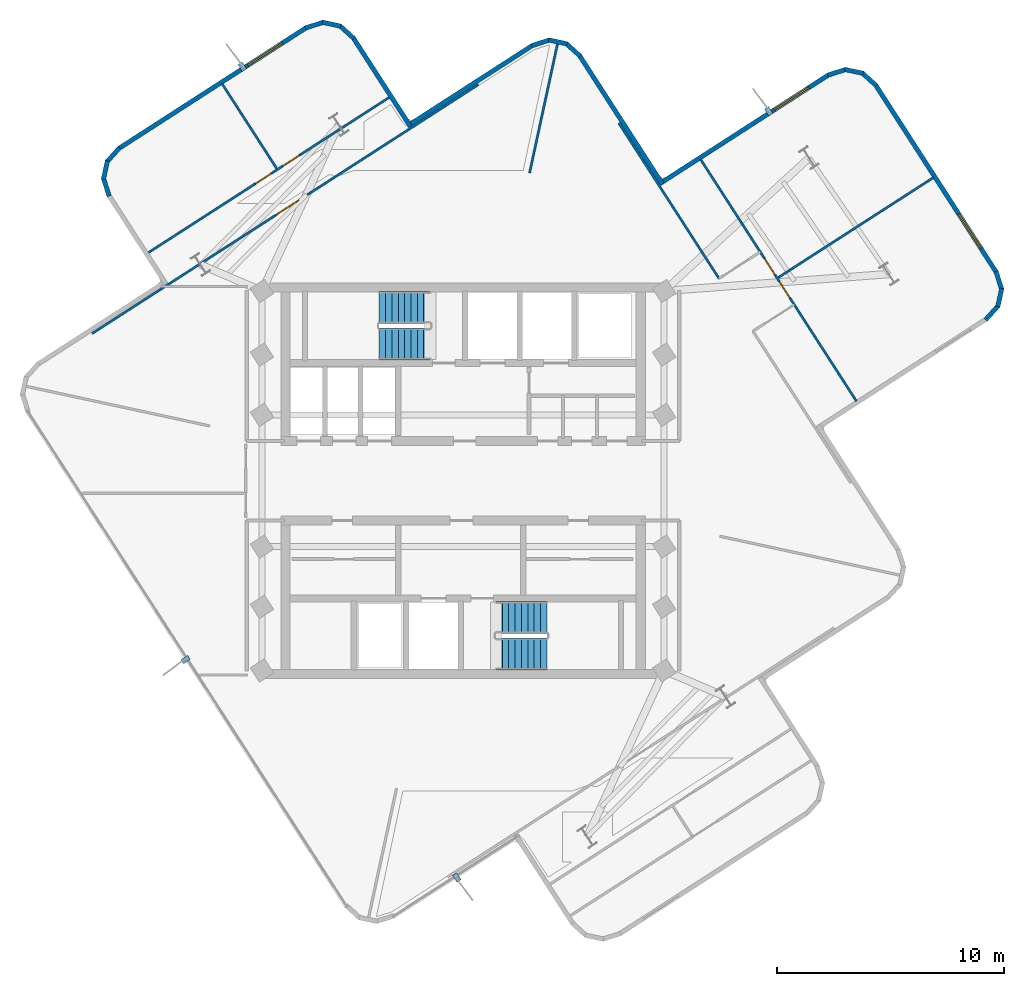
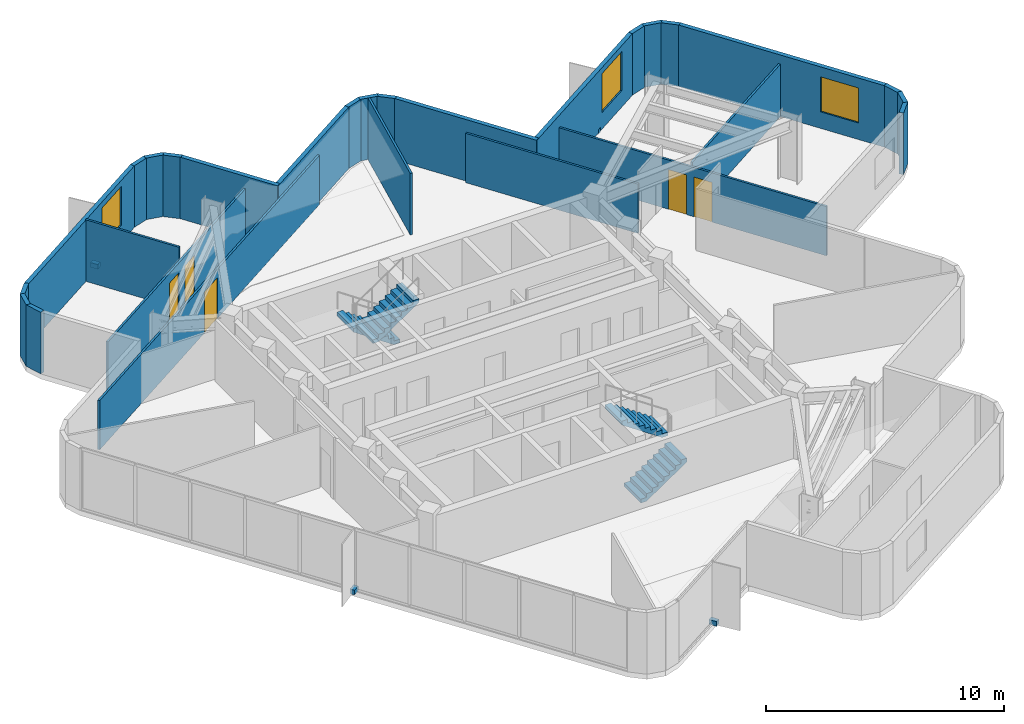
# One storey, part 7 of 9: 28 walls, 5 doors, 4 discrete accessories, 4 stair flights, 3 windows, 8 openings, 2 elements without a shape of their own.
"""IFC4 building model written with IfcOpenShell, lengths in metres."""

from ifc_helpers import new_model, si_unit, direction, frame, frame_2d, origin, origin_2d, place, context, subcontext, project, spatial, polyline, rectangle, outline, extrude, material, layer, layer_set, type_object, element, fill, aggregate, save


model = new_model("IFC4")

# Units and contexts
model_context = context("Model", 3, precision=1e-05, world=origin(), true_north=direction((0.0, 1.0)))
body_context = subcontext(model_context, "Body", "Model", "MODEL_VIEW")
ifc_project = project(units=[si_unit("LENGTHUNIT", "METRE"), si_unit("AREAUNIT", "SQUARE_METRE"), si_unit("VOLUMEUNIT", "CUBIC_METRE"), si_unit("PLANEANGLEUNIT", "RADIAN"), si_unit("MASSUNIT", "GRAM", prefix="KILO")], contexts=[model_context])

# Site, building, storey
site_placement = place(None, origin())
site = spatial("IfcSite", under=ifc_project, at=site_placement, CompositionType="ELEMENT")
building_placement = place(site_placement, origin())
building = spatial("IfcBuilding", under=site, at=building_placement, Name="Solmarez Civic Tower", CompositionType="ELEMENT")
storey_placement = place(building_placement, frame((0.0, 0.0, 215.4599609375)))
storey = spatial("IfcBuildingStorey", under=building, at=storey_placement, Name="L57", CompositionType="ELEMENT", Elevation=215.4599609375)

# Walls
ifc_material_1 = material(Name="Precast concrete C40/50", Category="concrete")
ifc_layer_1 = layer(ifc_material_1, 0.199951171875)
ifc_layer_set_1 = layer_set([ifc_layer_1], Name="Precast concrete C40/50")
wall_type_1 = type_object("IfcWallType", Name="WALL-EXT-200", PredefinedType="SOLIDWALL", material=ifc_layer_set_1)
wall_1_placement = place(storey_placement, frame((-15.572998046875, 12.52294921875, 0.0), z_axis=(0.0, 0.0, 1.0), x_axis=(-0.306602907463, 0.951837516142, 0.0)))
element("IfcWall", 1, at=wall_1_placement, inside=storey, type_object=wall_type_1, Name="L57 Exterior Precast Wall 14", PredefinedType="SOLIDWALL", context=body_context, shape_type="SweptSolid", body=[
    extrude(rectangle(XDim=0.83837890625, YDim=0.199951171875, at=frame_2d((0.419189453125, 0.0))), origin(), (0.0, 0.0, 1.0), 3.16015625),
])
wall_2_placement = place(storey_placement, frame((-15.826904296875, 13.27294921875, 0.0), z_axis=(0.0, 0.0, 1.0), x_axis=(0.210782404691, 0.977533006027, 0.0)))
element("IfcWall", 2, at=wall_2_placement, inside=storey, type_object=wall_type_1, Name="L57 Exterior Precast Wall 15", PredefinedType="SOLIDWALL", context=body_context, shape_type="SweptSolid", body=[
    extrude(rectangle(XDim=0.82470703125, YDim=0.199951171875, at=frame_2d((0.412353515625, 0.0))), origin(), (0.0, 0.0, 1.0), 3.16015625),
])
wall_3_placement = place(storey_placement, frame((-15.675048828125, 14.035888671875, 0.0), z_axis=(0.0, 0.0, 1.0), x_axis=(0.671019988703, 0.741439258983, 0.0)))
element("IfcWall", 3, at=wall_3_placement, inside=storey, type_object=wall_type_1, Name="L57 Exterior Precast Wall 16", PredefinedType="SOLIDWALL", context=body_context, shape_type="SweptSolid", body=[
    extrude(rectangle(XDim=0.839111328125, YDim=0.199951171875, at=frame_2d((0.41943359375, 0.0))), origin(), (0.0, 0.0, 1.0), 3.16015625),
])

# Wall, opening, window
wall_4_placement = place(storey_placement, frame((-15.14990234375, 14.625, 0.0), z_axis=(0.0, 0.0, 1.0), x_axis=(0.84055619882, 0.541724354839, 0.0)))
wall_4 = element("IfcWall", 4, at=wall_4_placement, inside=storey, type_object=wall_type_1, Name="L57 Exterior Precast Wall 17", PredefinedType="SOLIDWALL", context=body_context, shape_type="SweptSolid", body=[
    extrude(rectangle(XDim=9.82421875, YDim=0.199951171875, at=frame_2d((4.912109375, 0.0))), origin(), (0.0, 0.0, 1.0), 3.16015625),
])
opening_1_placement = place(wall_4_placement, frame((6.762939453125, 0.0, 0.85009765625)))
opening_1 = element("IfcOpeningElement", 5, at=opening_1_placement, cuts=wall_4, Name="Opening W-04", PredefinedType="OPENING", context=body_context, shape_type="SweptSolid", body=[
    extrude(rectangle(XDim=1.800048828125, YDim=2.0, at=frame_2d((0.89990234375, 1.0))), frame((0.0, 0.10986328125, 0.0), z_axis=(0.0, -1.0, 0.0), x_axis=(1.0, 0.0, 0.0)), (0.0, 0.0, 1.0), 0.219970703125),
])
ifc_material_2 = material(Name="Solar Control Bronze-Tinted Insulating Glass", Category="glass")
window_type_1 = type_object("IfcWindowType", Name="WIN-1800X2000", PartitioningType="SINGLE_PANEL", PredefinedType="WINDOW", material=ifc_material_2)
window_1_placement = place(opening_1_placement, origin())
window_1 = element("IfcWindow", 6, at=window_1_placement, inside=storey, type_object=window_type_1, Name="L57 Exterior Facade Window 17", OverallHeight=2.0, OverallWidth=1.800048828125, PartitioningType="SINGLE_PANEL", PredefinedType="WINDOW", context=body_context, shape_type="SweptSolid", body=[
    extrude(rectangle(XDim=1.800048828125, YDim=2.0, at=frame_2d((0.89990234375, 1.0))), frame((0.0, 0.030029296875, 0.0), z_axis=(0.0, -1.0, 0.0), x_axis=(1.0, 0.0, 0.0)), (0.0, 0.0, 1.0), 0.06005859375),
])
fill(opening_1, window_1)

# Walls
wall_5_placement = place(storey_placement, frame((-6.93701171875, 19.925048828125, 0.0), z_axis=(0.0, 0.0, 1.0), x_axis=(0.951922461344, 0.306339072907, 0.0)))
element("IfcWall", 7, at=wall_5_placement, inside=storey, type_object=wall_type_1, Name="L57 Exterior Precast Wall 18", PredefinedType="SOLIDWALL", context=body_context, shape_type="SweptSolid", body=[
    extrude(rectangle(XDim=0.83837890625, YDim=0.199951171875, at=frame_2d((0.419189453125, 0.0))), origin(), (0.0, 0.0, 1.0), 3.16015625),
])
wall_6_placement = place(storey_placement, frame((-6.18701171875, 20.178955078125, 0.0), z_axis=(0.0, 0.0, 1.0), x_axis=(0.977405889656, -0.211371064399, 0.0)))
element("IfcWall", 8, at=wall_6_placement, inside=storey, type_object=wall_type_1, Name="L57 Exterior Precast Wall 19", PredefinedType="SOLIDWALL", context=body_context, shape_type="SweptSolid", body=[
    extrude(rectangle(XDim=0.823486328125, YDim=0.199951171875, at=frame_2d((0.41162109375, 0.0))), origin(), (0.0, 0.0, 1.0), 3.16015625),
])
wall_7_placement = place(storey_placement, frame((-5.425048828125, 20.027099609375, 0.0), z_axis=(0.0, 0.0, 1.0), x_axis=(0.741439258983, -0.671019988703, 0.0)))
element("IfcWall", 9, at=wall_7_placement, inside=storey, type_object=wall_type_1, Name="L57 Exterior Precast Wall 20", PredefinedType="SOLIDWALL", context=body_context, shape_type="SweptSolid", body=[
    extrude(rectangle(XDim=0.839111328125, YDim=0.199951171875, at=frame_2d((0.41943359375, 0.0))), origin(), (0.0, 0.0, 1.0), 3.16015625),
])
wall_8_placement = place(storey_placement, frame((-4.8359375, 19.501953125, 0.0), z_axis=(0.0, 0.0, 1.0), x_axis=(0.541756659411, -0.840535378187, 0.0)))
element("IfcWall", 10, at=wall_8_placement, inside=storey, type_object=wall_type_1, Name="L57 Exterior Precast Wall 21", PredefinedType="SOLIDWALL", context=body_context, shape_type="SweptSolid", body=[
    extrude(rectangle(XDim=4.64208984375, YDim=0.199951171875, at=frame_2d((2.321044921875, 0.0))), origin(), (0.0, 0.0, 1.0), 3.16015625),
])
wall_9_placement = place(storey_placement, frame((-2.430908203125, 15.6240234375, 0.0), z_axis=(0.0, 0.0, 1.0), x_axis=(0.840561972283, 0.541715396451, 0.0)))
element("IfcWall", 11, at=wall_9_placement, inside=storey, type_object=wall_type_1, Name="L57 Exterior Precast Wall 24", PredefinedType="SOLIDWALL", context=body_context, shape_type="SweptSolid", body=[
    extrude(rectangle(XDim=6.5419921875, YDim=0.199951171875, at=frame_2d((3.27099609375, 0.0))), origin(), (0.0, 0.0, 1.0), 3.16015625),
])
wall_10_placement = place(storey_placement, frame((3.02294921875, 19.14599609375, 0.0), z_axis=(0.0, 0.0, 1.0), x_axis=(0.951837516142, 0.306602907463, 0.0)))
element("IfcWall", 12, at=wall_10_placement, inside=storey, type_object=wall_type_1, Name="L57 Exterior Precast Wall 25", PredefinedType="SOLIDWALL", context=body_context, shape_type="SweptSolid", body=[
    extrude(rectangle(XDim=0.83837890625, YDim=0.199951171875, at=frame_2d((0.419189453125, 0.0))), origin(), (0.0, 0.0, 1.0), 3.16015625),
])
wall_11_placement = place(storey_placement, frame((3.77294921875, 19.39990234375, 0.0), z_axis=(0.0, 0.0, 1.0), x_axis=(0.977467098281, -0.211087829535, 0.0)))
element("IfcWall", 13, at=wall_11_placement, inside=storey, type_object=wall_type_1, Name="L57 Exterior Precast Wall 26", PredefinedType="SOLIDWALL", context=body_context, shape_type="SweptSolid", body=[
    extrude(rectangle(XDim=0.823486328125, YDim=0.199951171875, at=frame_2d((0.41162109375, 0.0))), origin(), (0.0, 0.0, 1.0), 3.16015625),
])
wall_12_placement = place(storey_placement, frame((4.534912109375, 19.248046875, 0.0), z_axis=(0.0, 0.0, 1.0), x_axis=(0.741439258983, -0.671019988703, 0.0)))
element("IfcWall", 14, at=wall_12_placement, inside=storey, type_object=wall_type_1, Name="L57 Exterior Precast Wall 27", PredefinedType="SOLIDWALL", context=body_context, shape_type="SweptSolid", body=[
    extrude(rectangle(XDim=0.839111328125, YDim=0.199951171875, at=frame_2d((0.41943359375, 0.0))), origin(), (0.0, 0.0, 1.0), 3.16015625),
])
wall_13_placement = place(storey_placement, frame((5.1240234375, 18.722900390625, 0.0), z_axis=(0.0, 0.0, 1.0), x_axis=(0.541679726821, -0.840584959151, 0.0)))
element("IfcWall", 15, at=wall_13_placement, inside=storey, type_object=wall_type_1, Name="L57 Exterior Precast Wall 28", PredefinedType="SOLIDWALL", context=body_context, shape_type="SweptSolid", body=[
    extrude(rectangle(XDim=6.74169921875, YDim=0.199951171875, at=frame_2d((3.370849609375, 0.0))), origin(), (0.0, 0.0, 1.0), 3.16015625),
])

# Wall, opening, window
wall_14_placement = place(storey_placement, frame((8.666015625, 13.080078125, 0.0), z_axis=(0.0, 0.0, 1.0), x_axis=(0.840540020681, 0.541749456515, 0.0)))
wall_14 = element("IfcWall", 16, at=wall_14_placement, inside=storey, type_object=wall_type_1, Name="L57 Exterior Precast Wall 31", PredefinedType="SOLIDWALL", context=body_context, shape_type="SweptSolid", body=[
    extrude(rectangle(XDim=8.841796875, YDim=0.199951171875, at=frame_2d((4.4208984375, 0.0))), origin(), (0.0, 0.0, 1.0), 3.16015625),
])
opening_2_placement = place(wall_14_placement, frame((5.9970703125, 0.0, 0.85009765625)))
opening_2 = element("IfcOpeningElement", 17, at=opening_2_placement, cuts=wall_14, Name="Opening W-04", PredefinedType="OPENING", context=body_context, shape_type="SweptSolid", body=[
    extrude(rectangle(XDim=1.800048828125, YDim=2.0, at=frame_2d((0.89990234375, 1.0))), frame((0.0, 0.10986328125, 0.0), z_axis=(0.0, -1.0, 0.0), x_axis=(1.0, 0.0, 0.0)), (0.0, 0.0, 1.0), 0.219970703125),
])
window_2_placement = place(opening_2_placement, origin())
window_2 = element("IfcWindow", 18, at=window_2_placement, inside=storey, type_object=window_type_1, Name="L57 Exterior Facade Window 31", OverallHeight=2.0, OverallWidth=1.800048828125, PartitioningType="SINGLE_PANEL", PredefinedType="WINDOW", context=body_context, shape_type="SweptSolid", body=[
    extrude(rectangle(XDim=1.800048828125, YDim=2.0, at=frame_2d((0.89990234375, 1.0))), frame((0.0, 0.030029296875, 0.0), z_axis=(0.0, -1.0, 0.0), x_axis=(1.0, 0.0, 0.0)), (0.0, 0.0, 1.0), 0.06005859375),
])
fill(opening_2, window_2)

# Walls
wall_15_placement = place(storey_placement, frame((16.052978515625, 17.847900390625, 0.0), z_axis=(0.0, 0.0, 1.0), x_axis=(0.951946820804, 0.306263367646, 0.0)))
element("IfcWall", 19, at=wall_15_placement, inside=storey, type_object=wall_type_1, Name="L57 Exterior Precast Wall 32", PredefinedType="SOLIDWALL", context=body_context, shape_type="SweptSolid", body=[
    extrude(rectangle(XDim=0.83935546875, YDim=0.199951171875, at=frame_2d((0.419677734375, 0.0))), origin(), (0.0, 0.0, 1.0), 3.16015625),
])
wall_16_placement = place(storey_placement, frame((16.803955078125, 18.10205078125, 0.0), z_axis=(0.0, 0.0, 1.0), x_axis=(0.977405889656, -0.211371064399, 0.0)))
element("IfcWall", 20, at=wall_16_placement, inside=storey, type_object=wall_type_1, Name="L57 Exterior Precast Wall 33", PredefinedType="SOLIDWALL", context=body_context, shape_type="SweptSolid", body=[
    extrude(rectangle(XDim=0.823486328125, YDim=0.199951171875, at=frame_2d((0.41162109375, 0.0))), origin(), (0.0, 0.0, 1.0), 3.16015625),
])
wall_17_placement = place(storey_placement, frame((17.56591796875, 17.949951171875, 0.0), z_axis=(0.0, 0.0, 1.0), x_axis=(0.741439258983, -0.671019988703, 0.0)))
element("IfcWall", 21, at=wall_17_placement, inside=storey, type_object=wall_type_1, Name="L57 Exterior Precast Wall 34", PredefinedType="SOLIDWALL", context=body_context, shape_type="SweptSolid", body=[
    extrude(rectangle(XDim=0.839111328125, YDim=0.199951171875, at=frame_2d((0.41943359375, 0.0))), origin(), (0.0, 0.0, 1.0), 3.16015625),
])

# Wall, opening, window
wall_18_placement = place(storey_placement, frame((18.155029296875, 17.425048828125, 0.0), z_axis=(0.0, 0.0, 1.0), x_axis=(0.541713039183, -0.840563491462, 0.0)))
wall_18 = element("IfcWall", 22, at=wall_18_placement, inside=storey, type_object=wall_type_1, Name="L57 Exterior Precast Wall 35", PredefinedType="SOLIDWALL", context=body_context, shape_type="SweptSolid", body=[
    extrude(rectangle(XDim=9.824462890625, YDim=0.199951171875, at=frame_2d((4.912109375, 0.0))), origin(), (0.0, 0.0, 1.0), 3.16015625),
])
opening_3_placement = place(wall_18_placement, frame((6.762939453125, 0.0, 0.85009765625)))
opening_3 = element("IfcOpeningElement", 23, at=opening_3_placement, cuts=wall_18, Name="Opening W-08", PredefinedType="OPENING", context=body_context, shape_type="SweptSolid", body=[
    extrude(rectangle(XDim=1.800048828125, YDim=1.800048828125, at=frame_2d((0.89990234375, 0.89990234375))), frame((0.0, 0.10986328125, 0.0), z_axis=(0.0, -1.0, 0.0), x_axis=(1.0, 0.0, 0.0)), (0.0, 0.0, 1.0), 0.219970703125),
])
window_type_2 = type_object("IfcWindowType", Name="WIN-1800X1800", PartitioningType="SINGLE_PANEL", PredefinedType="WINDOW", material=ifc_material_2)
window_3_placement = place(opening_3_placement, origin())
window_3 = element("IfcWindow", 24, at=window_3_placement, inside=storey, type_object=window_type_2, Name="L57 Exterior Facade Window 35", OverallHeight=1.800048828125, OverallWidth=1.800048828125, PartitioningType="SINGLE_PANEL", PredefinedType="WINDOW", context=body_context, shape_type="SweptSolid", body=[
    extrude(rectangle(XDim=1.800048828125, YDim=1.800048828125, at=frame_2d((0.89990234375, 0.89990234375))), frame((0.0, 0.030029296875, 0.0), z_axis=(0.0, -1.0, 0.0), x_axis=(1.0, 0.0, 0.0)), (0.0, 0.0, 1.0), 0.06005859375),
])
fill(opening_3, window_3)

# Walls
wall_19_placement = place(storey_placement, frame((23.455078125, 9.2119140625, 0.0), z_axis=(0.0, 0.0, 1.0), x_axis=(0.306424011446, -0.951895123009, 0.0)))
element("IfcWall", 25, at=wall_19_placement, inside=storey, type_object=wall_type_1, Name="L57 Exterior Precast Wall 36", PredefinedType="SOLIDWALL", context=body_context, shape_type="SweptSolid", body=[
    extrude(rectangle(XDim=0.838134765625, YDim=0.199951171875, at=frame_2d((0.4189453125, 0.0))), origin(), (0.0, 0.0, 1.0), 3.16015625),
])
wall_20_placement = place(storey_placement, frame((23.708984375, 8.4619140625, 0.0), z_axis=(0.0, 0.0, 1.0), x_axis=(-0.210237806088, -0.977650277395, 0.0)))
element("IfcWall", 26, at=wall_20_placement, inside=storey, type_object=wall_type_1, Name="L57 Exterior Precast Wall 37", PredefinedType="SOLIDWALL", context=body_context, shape_type="SweptSolid", body=[
    extrude(rectangle(XDim=0.8232421875, YDim=0.199951171875, at=frame_2d((0.41162109375, 0.0))), origin(), (0.0, 0.0, 1.0), 3.16015625),
])
wall_21_placement = place(storey_placement, frame((23.55810546875, 7.699951171875, 0.0), z_axis=(0.0, 0.0, 1.0), x_axis=(-0.671818647766, -0.740715670493, 0.0)))
element("IfcWall", 27, at=wall_21_placement, inside=storey, type_object=wall_type_1, Name="L57 Exterior Precast Wall 38", PredefinedType="SOLIDWALL", context=body_context, shape_type="SweptSolid", body=[
    extrude(rectangle(XDim=0.83984375, YDim=0.199951171875, at=frame_2d((0.419921875, 0.0))), origin(), (0.0, 0.0, 1.0), 3.16015625),
])
ifc_material_3 = material(Name="Gypsum Board Acoustic Steel-Stud Partition", Category="steel")
ifc_layer_2 = layer(ifc_material_3, 0.10009765625)
ifc_layer_set_2 = layer_set([ifc_layer_2], Name="Gypsum Board Acoustic Steel-Stud Partition")
wall_type_2 = type_object("IfcWallType", Name="WALL-INT-PART-100", PredefinedType="PARTITIONING", material=ifc_layer_set_2)
wall_22_placement = place(storey_placement, frame((2.927001953125, 13.5400390625, 0.0), z_axis=(0.0, 0.0, 1.0), x_axis=(0.21141803497, 0.977395730751, 0.0)))
element("IfcWall", 28, at=wall_22_placement, inside=storey, type_object=wall_type_2, Name="L57 Interior Partition PT-L57-QDIV-1", PredefinedType="PARTITIONING", context=body_context, shape_type="SweptSolid", body=[
    extrude(rectangle(XDim=5.842041015625, YDim=0.10009765625, at=frame_2d((2.9208984375, 0.0))), origin(), (0.0, 0.0, 1.0), 3.16015625),
])
wall_23_placement = place(storey_placement, frame((11.27001953125, 8.89306640625, 0.0), z_axis=(0.0, 0.0, 1.0), x_axis=(-0.541761070726, 0.840532534912, 0.0)))
element("IfcWall", 29, at=wall_23_placement, inside=storey, type_object=wall_type_2, Name="L57 Interior Partition PT-L57-E-EFL", PredefinedType="PARTITIONING", context=body_context, shape_type="SweptSolid", body=[
    extrude(rectangle(XDim=8.1494140625, YDim=0.10009765625, at=frame_2d((4.07470703125, 0.0))), origin(), (0.0, 0.0, 1.0), 2.530029296875),
])
wall_24_placement = place(storey_placement, frame((13.8779296875, 8.944091796875, 0.0), z_axis=(0.0, 0.0, 1.0), x_axis=(0.840576508336, 0.541692840671, 0.0)))
element("IfcWall", 30, at=wall_24_placement, inside=storey, type_object=wall_type_2, Name="L57 Interior Partition PT-L57-E-TM", PredefinedType="PARTITIONING", context=body_context, shape_type="SweptSolid", body=[
    extrude(rectangle(XDim=8.124267578125, YDim=0.10009765625, at=frame_2d((4.06201171875, 0.0))), origin(), (0.0, 0.0, 1.0), 2.68896484375),
])

# Wall, openings, doors
wall_25_placement = place(storey_placement, frame((10.448974609375, 14.152099609375, 0.0), z_axis=(0.0, 0.0, 1.0), x_axis=(0.541734007753, -0.8405499776, 0.0)))
wall_25 = element("IfcWall", 31, at=wall_25_placement, inside=storey, type_object=wall_type_2, Name="L57 Interior Partition PT-L57-E-END", PredefinedType="PARTITIONING", context=body_context, shape_type="SweptSolid", body=[
    extrude(rectangle(XDim=12.67041015625, YDim=0.10009765625, at=frame_2d((6.335205078125, 0.0))), origin(), (0.0, 0.0, 1.0), 2.530029296875),
])
opening_4_placement = place(wall_25_placement, frame((6.405029296875, 0.0, 0.0)))
opening_4 = element("IfcOpeningElement", 32, at=opening_4_placement, cuts=wall_25, Name="Opening D-14", PredefinedType="OPENING", context=body_context, shape_type="SweptSolid", body=[
    extrude(rectangle(XDim=0.860107421875, YDim=2.0400390625, at=frame_2d((0.43017578125, 1.02001953125))), frame((0.0, 0.06005859375, 0.0), z_axis=(0.0, -1.0, 0.0), x_axis=(1.0, 0.0, 0.0)), (0.0, 0.0, 1.0), 0.1201171875),
])
opening_5_placement = place(wall_25_placement, frame((5.205078125, 0.0, 0.0)))
opening_5 = element("IfcOpeningElement", 33, at=opening_5_placement, cuts=wall_25, Name="Opening D-14", PredefinedType="OPENING", context=body_context, shape_type="SweptSolid", body=[
    extrude(rectangle(XDim=0.860107421875, YDim=2.0400390625, at=frame_2d((0.43017578125, 1.02001953125))), frame((0.0, 0.06005859375, 0.0), z_axis=(0.0, -1.0, 0.0), x_axis=(1.0, 0.0, 0.0)), (0.0, 0.0, 1.0), 0.1201171875),
])
ifc_material_4 = material(Name="Timber Storage and Pantry Door", Category="wood")
door_type_1 = type_object("IfcDoorType", Name="DOOR-INT-850", OperationType="NOTDEFINED", PredefinedType="DOOR", material=ifc_material_4)
door_1_placement = place(opening_4_placement, origin())
door_1 = element("IfcDoor", 34, at=door_1_placement, inside=storey, type_object=door_type_1, Name="L57 Public Reception Room Sixth East Door", OperationType="SINGLE_SWING_RIGHT", OverallHeight=2.0400390625, OverallWidth=0.860107421875, PredefinedType="DOOR", context=body_context, shape_type="SweptSolid", body=[
    extrude(rectangle(XDim=0.860107421875, YDim=2.0400390625, at=frame_2d((0.43017578125, 1.02001953125))), frame((0.0, 0.02490234375, 0.0), z_axis=(0.0, -1.0, 0.0), x_axis=(1.0, 0.0, 0.0)), (0.0, 0.0, 1.0), 0.050048828125),
])
fill(opening_4, door_1)
door_2_placement = place(opening_5_placement, origin())
door_2 = element("IfcDoor", 35, at=door_2_placement, inside=storey, type_object=door_type_1, Name="L57 Delegates Sitting Lounge Fifth East Door", OperationType="SINGLE_SWING_LEFT", OverallHeight=2.0400390625, OverallWidth=0.860107421875, PredefinedType="DOOR", context=body_context, shape_type="SweptSolid", body=[
    extrude(rectangle(XDim=0.860107421875, YDim=2.0400390625, at=frame_2d((0.43017578125, 1.02001953125))), frame((0.0, 0.02490234375, 0.0), z_axis=(0.0, -1.0, 0.0), x_axis=(1.0, 0.0, 0.0)), (0.0, 0.0, 1.0), 0.050048828125),
])
fill(opening_5, door_2)

# Wall, opening, door
wall_26_placement = place(storey_placement, frame((-16.3310546875, 6.47607421875, 0.0), z_axis=(0.0, 0.0, 1.0), x_axis=(0.840579457381, 0.541688264437, 0.0)))
wall_26 = element("IfcWall", 36, at=wall_26_placement, inside=storey, type_object=wall_type_2, Name="L57 Interior Partition PT-L57-N-ENT", PredefinedType="PARTITIONING", context=body_context, shape_type="SweptSolid", body=[
    extrude(rectangle(XDim=20.23828125, YDim=0.10009765625, at=frame_2d((10.119140625, 0.0))), origin(), (0.0, 0.0, 1.0), 2.530029296875),
])
opening_6_placement = place(wall_26_placement, frame((9.618896484375, 0.0, 0.0)))
opening_6 = element("IfcOpeningElement", 37, at=opening_6_placement, cuts=wall_26, Name="Opening D-11", PredefinedType="OPENING", context=body_context, shape_type="SweptSolid", body=[
    extrude(rectangle(XDim=1.199951171875, YDim=2.10009765625, at=frame_2d((0.60009765625, 1.050048828125))), frame((0.0, 0.06005859375, 0.0), z_axis=(0.0, -1.0, 0.0), x_axis=(1.0, 0.0, 0.0)), (0.0, 0.0, 1.0), 0.1201171875),
])
ifc_material_5 = material(Name="Glazed-Vision Acoustic Chamber Door", Category="wood")
door_type_2 = type_object("IfcDoorType", Name="DOOR-INT-1200", OperationType="NOTDEFINED", PredefinedType="DOOR", material=ifc_material_5)
door_3_placement = place(opening_6_placement, origin())
door_3 = element("IfcDoor", 38, at=door_3_placement, inside=storey, type_object=door_type_2, Name="L57 Civic Training Classroom First North Door", OperationType="SINGLE_SWING_LEFT", OverallHeight=2.10009765625, OverallWidth=1.199951171875, PredefinedType="DOOR", context=body_context, shape_type="SweptSolid", body=[
    extrude(rectangle(XDim=1.199951171875, YDim=2.10009765625, at=frame_2d((0.60009765625, 1.050048828125))), frame((0.0, 0.02490234375, 0.0), z_axis=(0.0, -1.0, 0.0), x_axis=(1.0, 0.0, 0.0)), (0.0, 0.0, 1.0), 0.050048828125),
])
fill(opening_6, door_3)

# Wall
wall_27_placement = place(storey_placement, frame((-8.205078125, 13.7470703125, 0.0), z_axis=(0.0, 0.0, 1.0), x_axis=(-0.541753189494, 0.840537614669, 0.0)))
element("IfcWall", 39, at=wall_27_placement, inside=storey, type_object=wall_type_2, Name="L57 Interior Partition PT-L57-N-TSP", PredefinedType="PARTITIONING", context=body_context, shape_type="SweptSolid", body=[
    extrude(rectangle(XDim=4.435302734375, YDim=0.10009765625, at=frame_2d((2.2177734375, 0.0))), origin(), (0.0, 0.0, 1.0), 3.16015625),
])

# Wall, openings, doors
wall_28_placement = place(storey_placement, frame((-3.22607421875, 16.884033203125, 0.0), z_axis=(0.0, 0.0, 1.0), x_axis=(-0.840579419228, -0.541688323642, 0.0)))
wall_28 = element("IfcWall", 40, at=wall_28_placement, inside=storey, type_object=wall_type_2, Name="L57 Interior Partition PT-L57-N-SCUT", PredefinedType="PARTITIONING", context=body_context, shape_type="SweptSolid", body=[
    extrude(rectangle(XDim=12.669677734375, YDim=0.10009765625, at=frame_2d((6.3349609375, 0.0))), origin(), (0.0, 0.0, 1.0), 2.530029296875),
])
opening_7_placement = place(wall_28_placement, frame((4.735107421875, 0.0, 0.0)))
opening_7 = element("IfcOpeningElement", 41, at=opening_7_placement, cuts=wall_28, Name="Opening D-14", PredefinedType="OPENING", context=body_context, shape_type="SweptSolid", body=[
    extrude(rectangle(XDim=0.860107421875, YDim=2.0400390625, at=frame_2d((0.43017578125, 1.02001953125))), frame((0.0, 0.06005859375, 0.0), z_axis=(0.0, -1.0, 0.0), x_axis=(1.0, 0.0, 0.0)), (0.0, 0.0, 1.0), 0.1201171875),
])
opening_8_placement = place(wall_28_placement, frame((6.175048828125, 0.0, 0.0)))
opening_8 = element("IfcOpeningElement", 42, at=opening_8_placement, cuts=wall_28, Name="Opening D-14", PredefinedType="OPENING", context=body_context, shape_type="SweptSolid", body=[
    extrude(rectangle(XDim=0.860107421875, YDim=2.0400390625, at=frame_2d((0.43017578125, 1.02001953125))), frame((0.0, 0.06005859375, 0.0), z_axis=(0.0, -1.0, 0.0), x_axis=(1.0, 0.0, 0.0)), (0.0, 0.0, 1.0), 0.1201171875),
])
door_4_placement = place(opening_7_placement, origin())
door_4 = element("IfcDoor", 43, at=door_4_placement, inside=storey, type_object=door_type_1, Name="L57 Public Reception Room Third North Door", OperationType="SINGLE_SWING_RIGHT", OverallHeight=2.0400390625, OverallWidth=0.860107421875, PredefinedType="DOOR", context=body_context, shape_type="SweptSolid", body=[
    extrude(rectangle(XDim=0.860107421875, YDim=2.0400390625, at=frame_2d((0.43017578125, 1.02001953125))), frame((0.0, 0.02490234375, 0.0), z_axis=(0.0, -1.0, 0.0), x_axis=(1.0, 0.0, 0.0)), (0.0, 0.0, 1.0), 0.050048828125),
])
fill(opening_7, door_4)
door_5_placement = place(opening_8_placement, origin())
door_5 = element("IfcDoor", 44, at=door_5_placement, inside=storey, type_object=door_type_1, Name="L57 Delegates Sitting Lounge Second North Door", OperationType="SINGLE_SWING_LEFT", OverallHeight=2.0400390625, OverallWidth=0.860107421875, PredefinedType="DOOR", context=body_context, shape_type="SweptSolid", body=[
    extrude(rectangle(XDim=0.860107421875, YDim=2.0400390625, at=frame_2d((0.43017578125, 1.02001953125))), frame((0.0, 0.02490234375, 0.0), z_axis=(0.0, -1.0, 0.0), x_axis=(1.0, 0.0, 0.0)), (0.0, 0.0, 1.0), 0.050048828125),
])
fill(opening_8, door_5)

# Stair, stair flights
ifc_material_6 = material(Name="Concrete C50/60", Category="concrete")
stair_type = type_object("IfcStairType", Name="STAIR-DOGLEG-140W-18R-1900", PredefinedType="HALF_TURN_STAIR", material=ifc_material_6)
stair_1_placement = place(storey_placement, origin())
stair_1 = element("IfcStair", 45, at=stair_1_placement, inside=storey, type_object=stair_type, Name="L57 North Core Protected Exit Stair ST-1", PredefinedType="HALF_TURN_STAIR")
stair_flight_type = type_object("IfcStairFlightType", Name="FLIGHT-DOGLEG-140W-9R-1900", PredefinedType="STRAIGHT", material=ifc_material_6)
stair_flight_1_placement = place(storey_placement, frame((-1.449951171875, 7.6201171875, 0.0), z_axis=(0.0, 0.0, 1.0), x_axis=(-1.0, 0.0, 0.0)))
stair_flight_1 = element("IfcStairFlight", 46, at=stair_flight_1_placement, type_object=stair_flight_type, Name="ST-1 flight 1", NumberOfRisers=9, NumberOfTreads=8, PredefinedType="STRAIGHT", RiserHeight=0.19, TreadLength=0.28, context=body_context, shape_type="SweptSolid", body=[
    extrude(outline(polyline([(0.0, 0.0), (0.0, 0.18994140625), (0.280029296875, 0.18994140625), (0.280029296875, 0.3798828125), (0.56005859375, 0.3798828125), (0.56005859375, 0.570068359375), (0.840087890625, 0.570068359375), (0.840087890625, 0.760009765625), (1.1201171875, 0.760009765625), (1.1201171875, 0.949951171875), (1.39990234375, 0.949951171875), (1.39990234375, 1.139892578125), (1.679931640625, 1.139892578125), (1.679931640625, 1.330078125), (1.9599609375, 1.330078125), (1.9599609375, 1.52001953125), (2.239990234375, 1.52001953125), (2.239990234375, 1.7099609375), (2.239990234375, 1.32666015625), (0.284912109375, 0.0), (0.0, 0.0)])), frame((0.0, 0.699951171875, 0.0), z_axis=(0.0, -1.0, 0.0), x_axis=(1.0, 0.0, 0.0)), (0.0, 0.0, 1.0), 1.39990234375),
])
stair_flight_2_placement = place(storey_placement, frame((-3.68994140625, 6.02001953125, 1.7099609375), z_axis=(0.0, 0.0, 1.0), x_axis=(1.0, 0.0, 0.0)))
stair_flight_2 = element("IfcStairFlight", 47, at=stair_flight_2_placement, type_object=stair_flight_type, Name="ST-1 flight 2", NumberOfRisers=9, NumberOfTreads=8, PredefinedType="STRAIGHT", RiserHeight=0.19, TreadLength=0.28, context=body_context, shape_type="SweptSolid", body=[
    extrude(outline(polyline([(0.0, 0.0), (0.0, 0.18994140625), (0.280029296875, 0.18994140625), (0.280029296875, 0.3798828125), (0.56005859375, 0.3798828125), (0.56005859375, 0.570068359375), (0.840087890625, 0.570068359375), (0.840087890625, 0.760009765625), (1.1201171875, 0.760009765625), (1.1201171875, 0.949951171875), (1.39990234375, 0.949951171875), (1.39990234375, 1.139892578125), (1.679931640625, 1.139892578125), (1.679931640625, 1.330078125), (1.9599609375, 1.330078125), (1.9599609375, 1.52001953125), (2.239990234375, 1.52001953125), (2.239990234375, 1.7099609375), (2.239990234375, 1.32666015625), (0.284912109375, 0.0), (0.0, 0.0)])), frame((0.0, 0.699951171875, 0.0), z_axis=(0.0, -1.0, 0.0), x_axis=(1.0, 0.0, 0.0)), (0.0, 0.0, 1.0), 1.39990234375),
])
aggregate(stair_1, [stair_flight_1, stair_flight_2])

stair_2_placement = place(storey_placement, origin())
stair_2 = element("IfcStair", 48, at=stair_2_placement, inside=storey, type_object=stair_type, Name="L57 South Core Protected Exit Stair ST-2", PredefinedType="HALF_TURN_STAIR")
stair_flight_3_placement = place(storey_placement, frame((1.449951171875, -7.6201171875, 0.0), z_axis=(0.0, 0.0, 1.0), x_axis=(1.0, 0.0, 0.0)))
stair_flight_3 = element("IfcStairFlight", 49, at=stair_flight_3_placement, type_object=stair_flight_type, Name="ST-2 flight 1", NumberOfRisers=9, NumberOfTreads=8, PredefinedType="STRAIGHT", RiserHeight=0.19, TreadLength=0.28, context=body_context, shape_type="SweptSolid", body=[
    extrude(outline(polyline([(0.0, 0.0), (0.0, 0.18994140625), (0.280029296875, 0.18994140625), (0.280029296875, 0.3798828125), (0.56005859375, 0.3798828125), (0.56005859375, 0.570068359375), (0.840087890625, 0.570068359375), (0.840087890625, 0.760009765625), (1.1201171875, 0.760009765625), (1.1201171875, 0.949951171875), (1.39990234375, 0.949951171875), (1.39990234375, 1.139892578125), (1.679931640625, 1.139892578125), (1.679931640625, 1.330078125), (1.9599609375, 1.330078125), (1.9599609375, 1.52001953125), (2.239990234375, 1.52001953125), (2.239990234375, 1.7099609375), (2.239990234375, 1.32666015625), (0.284912109375, 0.0), (0.0, 0.0)])), frame((0.0, 0.699951171875, 0.0), z_axis=(0.0, -1.0, 0.0), x_axis=(1.0, 0.0, 0.0)), (0.0, 0.0, 1.0), 1.39990234375),
])
stair_flight_4_placement = place(storey_placement, frame((3.68994140625, -6.02001953125, 1.7099609375), z_axis=(0.0, 0.0, 1.0), x_axis=(-1.0, 0.0, 0.0)))
stair_flight_4 = element("IfcStairFlight", 50, at=stair_flight_4_placement, type_object=stair_flight_type, Name="ST-2 flight 2", NumberOfRisers=9, NumberOfTreads=8, PredefinedType="STRAIGHT", RiserHeight=0.19, TreadLength=0.28, context=body_context, shape_type="SweptSolid", body=[
    extrude(outline(polyline([(0.0, 0.0), (0.0, 0.18994140625), (0.280029296875, 0.18994140625), (0.280029296875, 0.3798828125), (0.56005859375, 0.3798828125), (0.56005859375, 0.570068359375), (0.840087890625, 0.570068359375), (0.840087890625, 0.760009765625), (1.1201171875, 0.760009765625), (1.1201171875, 0.949951171875), (1.39990234375, 0.949951171875), (1.39990234375, 1.139892578125), (1.679931640625, 1.139892578125), (1.679931640625, 1.330078125), (1.9599609375, 1.330078125), (1.9599609375, 1.52001953125), (2.239990234375, 1.52001953125), (2.239990234375, 1.7099609375), (2.239990234375, 1.32666015625), (0.284912109375, 0.0), (0.0, 0.0)])), frame((0.0, 0.699951171875, 0.0), z_axis=(0.0, -1.0, 0.0), x_axis=(1.0, 0.0, 0.0)), (0.0, 0.0, 1.0), 1.39990234375),
])
aggregate(stair_2, [stair_flight_3, stair_flight_4])

# Discrete accessories
ifc_material_7 = material(Name="Stainless Steel Grade 1.4401", Category="steel")
discrete_accessory_type = type_object("IfcDiscreteAccessoryType", Name="BRACKET-SS-FIN", PredefinedType="BRACKET", material=ifc_material_7)
for number, where, z_axis, x_axis, name in (
    (51, (-0.27490234375, -17.462890625, -0.06005859375), (0.0, 0.0, 1.0), (0.541691577131, -0.840577322598, 0.0), "L57 Stainless Fin Support Bracket FIN-L57-01"),
    (52, (-12.212890625, -7.87109375, -0.06005859375), (0.0, 0.0, 1.0), (-0.840571426165, -0.541700726892, 0.0), "L57 Stainless Fin Support Bracket FIN-L57-02"),
    (53, (-9.718017578125, 18.219970703125, -0.06005859375), (0.0, 0.0, 1.0), (-0.541646713116, 0.840606232532, 0.0), "L57 Stainless Fin Support Bracket FIN-L57-03"),
    (54, (13.452880859375, 16.260009765625, -0.06005859375), (0.0, 0.0, 1.0), (-0.541717507542, 0.840560611748, 0.0), "L57 Stainless Fin Support Bracket FIN-L57-04"),
):
    element("IfcDiscreteAccessory", number, at=place(storey_placement, frame(where, z_axis=z_axis, x_axis=x_axis)), inside=storey, type_object=discrete_accessory_type, Name=name, PredefinedType="BRACKET", context=body_context, shape_type="SweptSolid", body=[
        extrude(rectangle(XDim=0.360107421875, YDim=0.219970703125, at=origin_2d()), origin(), (0.0, 0.0, 1.0), 0.239990234375),
    ])

save(model, "model.ifc")
